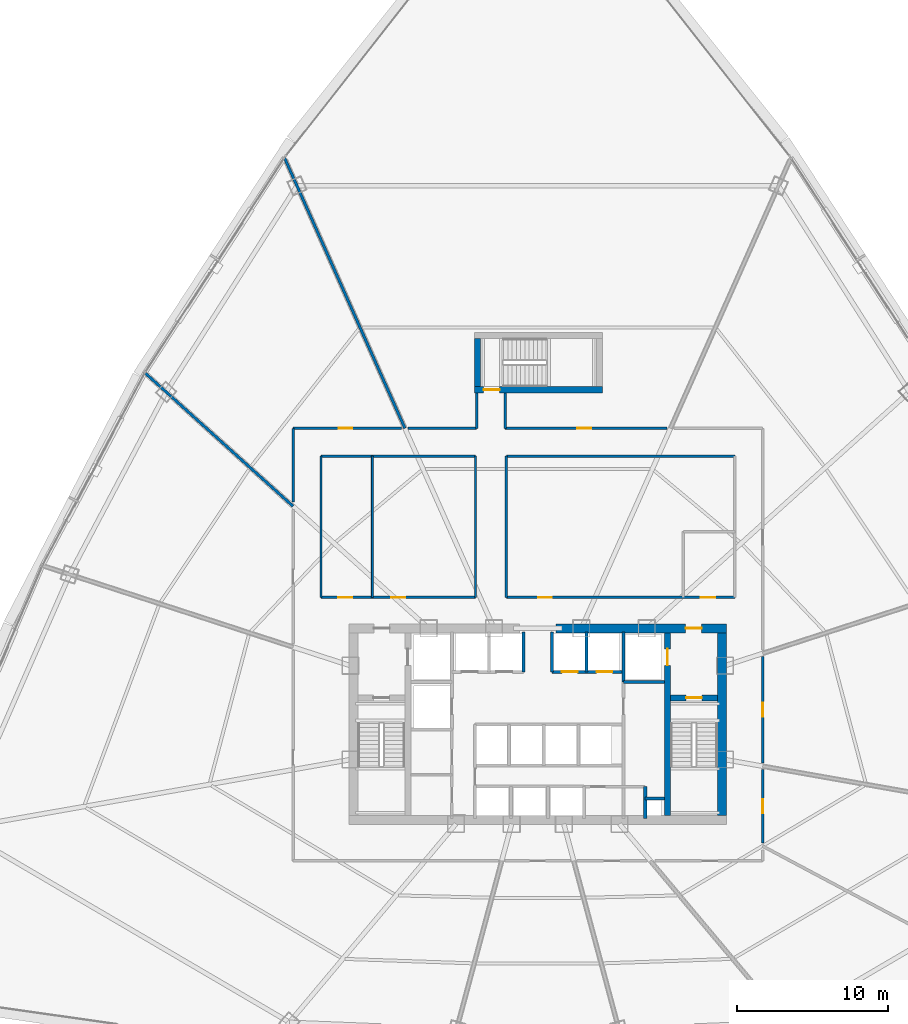
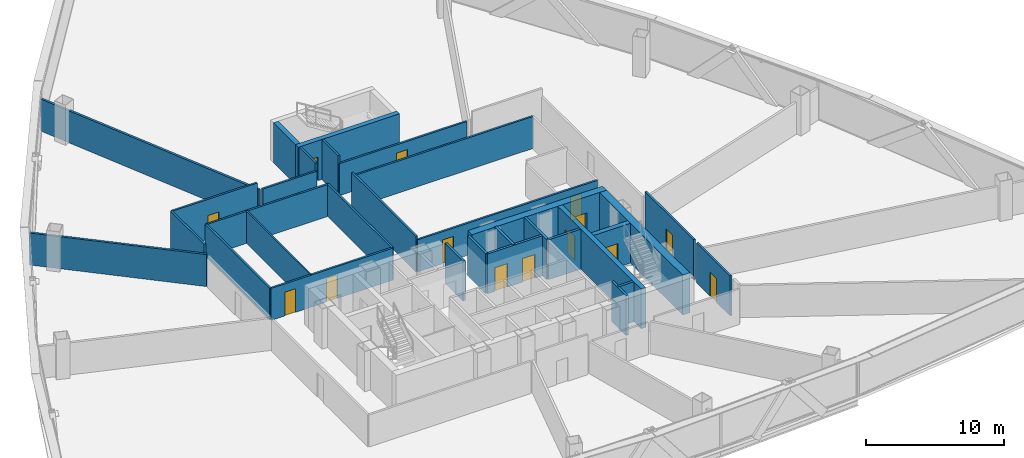
# One storey, part 33 of 39: 32 walls, 14 doors, 14 openings.
"""IFC4 building model written with IfcOpenShell, lengths in metres."""

import ifcopenshell
import ifcopenshell.guid

model = None  # the IFC model being written
_history = None  # IfcOwnerHistory: only IFC2X3 demands one
_inside = {}  # id of a spatial element -> (the spatial element, [elements in it])
_under = {}  # id of a project, library or spatial element -> (it, [spatial elements below it])
_declared = {}  # id of a project -> (the project, [libraries it declares])
_typed = {}  # id of a type object -> (the type object, [elements of that type])
_made_of = {}  # id of a material, layer set ... -> (it, [elements and type objects made of it])


def new_model(schema):
    """Start an empty IFC model of exactly this schema.

    Asked for "IFC4X3", IfcOpenShell would pick the latest addendum, in which some entities
    have other attributes; the version numbers below select the first issue.
    IFC2X3 requires an IfcOwnerHistory on every rooted entity: one is made here for all.
    """
    global model, _history
    if schema == "IFC4X3":
        model = ifcopenshell.file(schema_version=(4, 3, 0, 0))
    else:
        model = ifcopenshell.file(schema=schema)
    _inside.clear()
    _under.clear()
    _declared.clear()
    _typed.clear()
    _made_of.clear()
    _history = None
    if model.schema == "IFC2X3":
        org = make("IfcOrganization", Name="unknown")
        user = make(
            "IfcPersonAndOrganization",
            ThePerson=make("IfcPerson", FamilyName="unknown"),
            TheOrganization=org,
        )
        app = make(
            "IfcApplication",
            ApplicationDeveloper=org,
            Version="unknown",
            ApplicationFullName="unknown",
            ApplicationIdentifier="unknown",
        )
        _history = make(
            "IfcOwnerHistory",
            OwningUser=user,
            OwningApplication=app,
            ChangeAction="ADDED",
            CreationDate=0,
        )
    return model


def make(cls, **values):
    """One entity of the class cls with the attributes given. An attribute that is None is left unset."""
    return model.create_entity(
        cls, **{name: value for name, value in values.items() if value is not None}
    )


def rooted(cls, **values):
    """An entity with a GlobalId (a new one), such as an element, a storey or a relation."""
    return make(cls, GlobalId=ifcopenshell.guid.new(), OwnerHistory=_history, **values)


def si_unit(unit_type, name, prefix=None):
    """IfcSIUnit, for example si_unit("LENGTHUNIT", "METRE", prefix="MILLI")."""
    return make("IfcSIUnit", UnitType=unit_type, Prefix=prefix, Name=name)


def assignment(units):
    """IfcUnitAssignment: the units of a project."""
    return None if units is None else make("IfcUnitAssignment", Units=units)


def point(xyz):
    """IfcCartesianPoint."""
    return None if xyz is None else make("IfcCartesianPoint", Coordinates=xyz)


def direction(xyz):
    """IfcDirection."""
    return None if xyz is None else make("IfcDirection", DirectionRatios=xyz)


def frame(location, z_axis=None, x_axis=None):
    """IfcAxis2Placement3D, a coordinate frame: its origin and axes. An axis left out is left unset."""
    return make(
        "IfcAxis2Placement3D",
        Location=point(location),
        Axis=direction(z_axis),
        RefDirection=direction(x_axis),
    )


def frame_2d(location, x_axis=None):
    """IfcAxis2Placement2D, a coordinate frame in the plane: its origin and x axis."""
    return make(
        "IfcAxis2Placement2D", Location=point(location), RefDirection=direction(x_axis)
    )


def origin():
    """The frame at (0, 0, 0) with its axes left unset."""
    return frame((0.0, 0.0, 0.0))


def origin_with_axes():
    """The frame at (0, 0, 0) with the z axis (0, 0, 1) and the x axis (1, 0, 0) written out."""
    return frame((0.0, 0.0, 0.0), z_axis=(0.0, 0.0, 1.0), x_axis=(1.0, 0.0, 0.0))


def place(relative_to, where):
    """IfcLocalPlacement: puts the frame where relative to a parent placement (None: the world)."""
    return make(
        "IfcLocalPlacement", PlacementRelTo=relative_to, RelativePlacement=where
    )


def context(
    kind, dimensions, precision=None, world=None, true_north=None, identifier=None
):
    """IfcGeometricRepresentationContext, for example the 3D "Model" context."""
    return make(
        "IfcGeometricRepresentationContext",
        ContextIdentifier=identifier,
        ContextType=kind,
        CoordinateSpaceDimension=dimensions,
        Precision=precision,
        WorldCoordinateSystem=world,
        TrueNorth=true_north,
    )


def subcontext(parent, identifier, kind, view, scale=None):
    """IfcGeometricRepresentationSubContext, for example "Body" below "Model"."""
    return make(
        "IfcGeometricRepresentationSubContext",
        ContextIdentifier=identifier,
        ContextType=kind,
        ParentContext=parent,
        TargetScale=scale,
        TargetView=view,
    )


def project(units=None, contexts=None):
    """IfcProject with its units and contexts."""
    return rooted(
        "IfcProject",
        Name="project",
        RepresentationContexts=contexts,
        UnitsInContext=assignment(units),
    )


def spatial(cls, under=None, at=None, **own):
    """A site, building, storey or space (cls), placed at a placement, below another one or the project."""
    s = rooted(cls, ObjectPlacement=at, **own)
    if under is not None:
        _under.setdefault(under.id(), (under, []))[1].append(s)
    return s


def profile(cls, at=None, kind="AREA", **sizes):
    """A parametric profile (cls). Its sizes go by their IFC names, for example OverallWidth=200.0."""
    return make(cls, ProfileType=kind, Position=at, **sizes)


def rectangle(**sizes):
    """IfcRectangleProfileDef."""
    return profile("IfcRectangleProfileDef", **sizes)


def extrude(swept, where, along, depth):
    """IfcExtrudedAreaSolid: the profile swept, set in the frame where, extruded along a direction by depth."""
    return make(
        "IfcExtrudedAreaSolid",
        SweptArea=swept,
        Position=where,
        ExtrudedDirection=direction(along),
        Depth=depth,
    )


def shape(context_of_items, identifier, shape_type, items):
    """IfcShapeRepresentation: the items that make up one representation, for example the "Body"."""
    return make(
        "IfcShapeRepresentation",
        ContextOfItems=context_of_items,
        RepresentationIdentifier=identifier,
        RepresentationType=shape_type,
        Items=items,
    )


def source(mapping_origin, context_of_items, identifier, shape_type, items):
    """IfcRepresentationMap: a shape defined once, which mapped items show again and again."""
    return make(
        "IfcRepresentationMap",
        MappingOrigin=mapping_origin,
        MappedRepresentation=shape(context_of_items, identifier, shape_type, items),
    )


def transform(
    local_origin,
    x_axis=None,
    y_axis=None,
    z_axis=None,
    scale=None,
    scale2=None,
    scale3=None,
    uniform=True,
):
    """IfcCartesianTransformationOperator3D, or its non-uniform kind. x_axis, y_axis, z_axis: its Axis1, 2, 3."""
    if uniform:
        return make(
            "IfcCartesianTransformationOperator3D",
            Axis1=direction(x_axis),
            Axis2=direction(y_axis),
            LocalOrigin=point(local_origin),
            Scale=scale,
            Axis3=direction(z_axis),
        )
    return make(
        "IfcCartesianTransformationOperator3DnonUniform",
        Axis1=direction(x_axis),
        Axis2=direction(y_axis),
        LocalOrigin=point(local_origin),
        Scale=scale,
        Axis3=direction(z_axis),
        Scale2=scale2,
        Scale3=scale3,
    )


def mapped(mapping_source, mapping_target):
    """IfcMappedItem: shows the shape of a source again, moved by a transform."""
    return make(
        "IfcMappedItem", MappingSource=mapping_source, MappingTarget=mapping_target
    )


def material(Name=None, Category=None):
    """IfcMaterial."""
    return make("IfcMaterial", Name=Name, Category=Category)


def layer(
    of_material, thickness, ventilated=None, Name=None, Category=None, Priority=None
):
    """IfcMaterialLayer: one layer of a wall or slab, of a material (None: an air gap)."""
    return make(
        "IfcMaterialLayer",
        Material=of_material,
        LayerThickness=thickness,
        IsVentilated=ventilated,
        Name=Name,
        Category=Category,
        Priority=Priority,
    )


def layer_set(layers, Name=None):
    """IfcMaterialLayerSet."""
    return make("IfcMaterialLayerSet", MaterialLayers=layers, LayerSetName=Name)


def made_of(thing, what):
    """Note that an element or type object is made of a material, layer set ...; save() writes the relation."""
    if what is not None:
        _made_of.setdefault(what.id(), (what, []))[1].append(thing)
    return thing


def type_object(cls, material=None, **own):
    """A type object (cls), such as IfcWallType, which elements share."""
    return made_of(rooted(cls, **own), material)


def element(
    cls,
    number,
    at=None,
    inside=None,
    cuts=None,
    type_object=None,
    material=None,
    context=None,
    identifier="Body",
    shape_type=None,
    held_by="IfcProductDefinitionShape",
    body=None,
    shapes=None,
    **own,
):
    """One element of the class cls, such as IfcWall. Its Tag is "e" and its number.

    at: its placement. inside: the storey or other place that contains it. cuts: it is an
    opening in that element (IfcRelVoidsElement). A single representation is given by context,
    identifier, shape_type and body (its items); several are given by shapes. held_by: the class
    of the entity that holds the representations. save() writes the other relations.
    """
    e = rooted(cls, Tag="e%d" % number, ObjectPlacement=at, **own)
    if body is not None:
        shapes = [shape(context, identifier, shape_type, body)]
    if shapes is not None:
        e.Representation = make(held_by, Representations=shapes)
    if inside is not None:
        _inside.setdefault(inside.id(), (inside, []))[1].append(e)
    if cuts is not None:
        rooted(
            "IfcRelVoidsElement", RelatingBuildingElement=cuts, RelatedOpeningElement=e
        )
    if type_object is not None:
        _typed.setdefault(type_object.id(), (type_object, []))[1].append(e)
    return made_of(e, material)


def fill(opening, filler):
    """IfcRelFillsElement: the door or window that sits in an opening."""
    return rooted(
        "IfcRelFillsElement",
        RelatingOpeningElement=opening,
        RelatedBuildingElement=filler,
    )


def aggregate(whole, parts):
    """IfcRelAggregates: a whole, such as a stair, and the parts it consists of."""
    return rooted("IfcRelAggregates", RelatingObject=whole, RelatedObjects=parts)


def save(model, path):
    """Write the relations noted so far, then the file.

    IfcRelAggregates (storeys below a building ...), IfcRelContainedInSpatialStructure (elements
    in a storey), IfcRelDefinesByType, IfcRelAssociatesMaterial and IfcRelDeclares: one each for
    every whole, place, type object, material and project.
    """
    for whole, parts in _under.values():
        aggregate(whole, parts)
    for where, things in _inside.values():
        rooted(
            "IfcRelContainedInSpatialStructure",
            RelatedElements=things,
            RelatingStructure=where,
        )
    for kind, things in _typed.values():
        rooted("IfcRelDefinesByType", RelatedObjects=things, RelatingType=kind)
    for what, things in _made_of.values():
        rooted("IfcRelAssociatesMaterial", RelatedObjects=things, RelatingMaterial=what)
    for by, libraries in _declared.values():
        rooted("IfcRelDeclares", RelatingContext=by, RelatedDefinitions=libraries)
    model.write(path)


model = new_model("IFC4")

# Units and contexts
model_context = context("Model", 3, precision=1e-05, world=origin(), true_north=direction((0.0, 1.0)))
body_context = subcontext(model_context, "Body", "Model", "MODEL_VIEW")
ifc_project = project(units=[si_unit("LENGTHUNIT", "METRE"), si_unit("AREAUNIT", "SQUARE_METRE"), si_unit("VOLUMEUNIT", "CUBIC_METRE"), si_unit("PLANEANGLEUNIT", "RADIAN"), si_unit("MASSUNIT", "GRAM", prefix="KILO"), si_unit("THERMODYNAMICTEMPERATUREUNIT", "KELVIN"), si_unit("POWERUNIT", "WATT")], contexts=[model_context])

# Site, building, storey
site_placement = place(None, origin())
site = spatial("IfcSite", under=ifc_project, at=site_placement, CompositionType="ELEMENT")
building_placement = place(site_placement, origin())
building = spatial("IfcBuilding", under=site, at=building_placement, Name="Yunzhuo Pagoda Commons", CompositionType="ELEMENT")
storey_placement = place(building_placement, frame((0.0, 0.0, 100.179931640625)))
storey = spatial("IfcBuildingStorey", under=building, at=storey_placement, Name="L25", CompositionType="ELEMENT", Elevation=100.179931640625)

# Wall, opening, door
ifc_material_1 = material(Name="Concrete C60", Category="concrete")
ifc_layer_1 = layer(ifc_material_1, 0.60009765625)
ifc_layer_set_1 = layer_set([ifc_layer_1], Name="Concrete C60")
wall_type_1 = type_object("IfcWallType", Name="W-C02 Mid Core Shear Wall 600", PredefinedType="SHEAR", material=ifc_layer_set_1)
wall_1_placement = place(storey_placement, frame((49.199951171875, 40.199951171875, 0.0), z_axis=(0.0, 0.0, 1.0), x_axis=(1.0, 0.0, 0.0)))
wall_1 = element("IfcWall", 1, at=wall_1_placement, inside=storey, type_object=wall_type_1, Name="L25 core shear wall NE", PredefinedType="SHEAR", context=body_context, shape_type="SweptSolid", body=[
    extrude(rectangle(XDim=11.300048828125, YDim=0.60009765625, at=frame_2d((5.64990234375, 0.0))), origin(), (0.0, 0.0, 1.0), 3.5400390625),
])
opening_1_placement = place(wall_1_placement, frame((8.60009765625, 0.0, 0.0)))
opening_1 = element("IfcOpeningElement", 2, at=opening_1_placement, cuts=wall_1, Name="Opening D-02", PredefinedType="OPENING", context=body_context, shape_type="SweptSolid", body=[
    extrude(rectangle(XDim=1.050048828125, YDim=2.10009765625, at=frame_2d((0.52490234375, 1.050048828125))), frame((0.0, 0.31005859375, 0.0), z_axis=(0.0, -1.0, 0.0), x_axis=(1.0, 0.0, 0.0)), (0.0, 0.0, 1.0), 0.6201171875),
])
ifc_material_2 = material(Name="Galvanized fire-resisting metal leaf")
door_type_1 = type_object("IfcDoorType", Name="D-02 Firefighting Lobby & Refuge Fire Door 1050x2100", OperationType="NOTDEFINED", PredefinedType="DOOR", material=ifc_material_2)
shared_shape_1 = source(origin(), body_context, "Body", "SweptSolid", [
    extrude(rectangle(XDim=1.050048828125, YDim=2.10009765625, at=frame_2d((0.52490234375, 1.050048828125))), frame((0.0, 0.02490234375, 0.0), z_axis=(0.0, -1.0, 0.0), x_axis=(1.0, 0.0, 0.0)), (0.0, 0.0, 1.0), 0.050048828125),
])
door_1_placement = place(opening_1_placement, frame((1.050048828125, 0.0, 0.0), z_axis=(0.0, 0.0, 1.0), x_axis=(-1.0, 0.0, 0.0)))
door_1 = element("IfcDoor", 3, at=door_1_placement, inside=storey, type_object=door_type_1, Name="L25 Firefighting Lobby 2 fire door", OperationType="SINGLE_SWING_RIGHT", OverallHeight=2.10009765625, OverallWidth=1.050048828125, PredefinedType="DOOR", context=body_context, shape_type="MappedRepresentation", body=[
    mapped(shared_shape_1, transform((0.0, 0.0, 0.0), scale=1.0)),
])
fill(opening_1, door_1)

# Wall
wall_2_placement = place(storey_placement, frame((60.199951171875, 27.800048828125, 0.0), z_axis=(0.0, 0.0, 1.0), x_axis=(0.0, 1.0, 0.0)))
element("IfcWall", 4, at=wall_2_placement, inside=storey, type_object=wall_type_1, Name="L25 core shear wall E", PredefinedType="SHEAR", context=body_context, shape_type="SweptSolid", body=[
    extrude(rectangle(XDim=12.099853515625, YDim=0.60009765625, at=frame_2d((6.0498046875, 0.0))), origin(), (0.0, 0.0, 1.0), 3.5400390625),
])

# Wall, openings, doors
ifc_material_3 = material(Name="Gypsum plasterboard on acoustic stud")
ifc_layer_2 = layer(ifc_material_3, 0.159912109375)
ifc_layer_set_2 = layer_set([ifc_layer_2], Name="Gypsum plasterboard on acoustic stud")
wall_type_2 = type_object("IfcWallType", Name="W-COR1 Tower Rated Corridor Wall 160", PredefinedType="PARTITIONING", material=ifc_layer_set_2)
wall_3_placement = place(storey_placement, frame((33.64990234375, 42.25, 0.0), z_axis=(0.0, 0.0, 1.0), x_axis=(1.0, 0.0, 0.0)))
wall_3 = element("IfcWall", 5, at=wall_3_placement, inside=storey, type_object=wall_type_2, Name="L25 interior wall IW-L25-ISLWS", PredefinedType="PARTITIONING", context=body_context, shape_type="SweptSolid", body=[
    extrude(rectangle(XDim=10.22998046875, YDim=0.159912109375, at=frame_2d((5.114990234375, 0.0))), origin(), (0.0, 0.0, 1.0), 2.840087890625),
])
opening_2_placement = place(wall_3_placement, frame((1.14990234375, 0.0, 0.0)))
opening_2 = element("IfcOpeningElement", 6, at=opening_2_placement, cuts=wall_3, Name="Opening D-04", PredefinedType="OPENING", context=body_context, shape_type="SweptSolid", body=[
    extrude(rectangle(XDim=0.919921875, YDim=2.10009765625, at=frame_2d((0.4599609375, 1.050048828125))), frame((0.0, 0.08984375, 0.0), z_axis=(0.0, -1.0, 0.0), x_axis=(1.0, 0.0, 0.0)), (0.0, 0.0, 1.0), 0.179931640625),
])
opening_3_placement = place(wall_3_placement, frame((4.64990234375, 0.0, 0.0)))
opening_3 = element("IfcOpeningElement", 7, at=opening_3_placement, cuts=wall_3, Name="Opening D-04", PredefinedType="OPENING", context=body_context, shape_type="SweptSolid", body=[
    extrude(rectangle(XDim=0.919921875, YDim=2.10009765625, at=frame_2d((0.4599609375, 1.050048828125))), frame((0.0, 0.08984375, 0.0), z_axis=(0.0, -1.0, 0.0), x_axis=(1.0, 0.0, 0.0)), (0.0, 0.0, 1.0), 0.179931640625),
])
ifc_material_4 = material(Name="Powder-coated aluminium and timber acoustic leaf", Category="wood")
door_type_2 = type_object("IfcDoorType", Name="D-04 Bedroom & Study Interior Door 920x2100", OperationType="NOTDEFINED", PredefinedType="DOOR", material=ifc_material_4)
shared_shape_2 = source(origin(), body_context, "Body", "SweptSolid", [
    extrude(rectangle(XDim=0.919921875, YDim=2.10009765625, at=frame_2d((0.4599609375, 1.050048828125))), frame((0.0, 0.02490234375, 0.0), z_axis=(0.0, -1.0, 0.0), x_axis=(1.0, 0.0, 0.0)), (0.0, 0.0, 1.0), 0.050048828125),
])
door_2_placement = place(opening_2_placement, frame((0.919921875, 0.0, 0.0), z_axis=(0.0, 0.0, 1.0), x_axis=(-1.0, 0.0, 0.0)))
door_2 = element("IfcDoor", 8, at=door_2_placement, inside=storey, type_object=door_type_2, Name="L25 laundry door", OperationType="SINGLE_SWING_LEFT", OverallHeight=2.10009765625, OverallWidth=0.919921875, PredefinedType="DOOR", context=body_context, shape_type="MappedRepresentation", body=[
    mapped(shared_shape_2, transform((0.0, 0.0, 0.0), scale=1.0)),
])
fill(opening_2, door_2)
door_3_placement = place(opening_3_placement, frame((0.919921875, 0.0, 0.0), z_axis=(0.0, 0.0, 1.0), x_axis=(-1.0, 0.0, 0.0)))
door_3 = element("IfcDoor", 9, at=door_3_placement, inside=storey, type_object=door_type_2, Name="L25 study commons W door", OperationType="SINGLE_SWING_RIGHT", OverallHeight=2.10009765625, OverallWidth=0.919921875, PredefinedType="DOOR", context=body_context, shape_type="MappedRepresentation", body=[
    mapped(shared_shape_2, transform((0.0, 0.0, 0.0), scale=1.0)),
])
fill(opening_3, door_3)

# Walls
wall_4_placement = place(storey_placement, frame((33.64990234375, 51.60009765625, 0.0), z_axis=(0.0, 0.0, 1.0), x_axis=(1.0, 0.0, 0.0)))
element("IfcWall", 10, at=wall_4_placement, inside=storey, type_object=wall_type_2, Name="L25 interior wall IW-L25-ISLWN", PredefinedType="PARTITIONING", context=body_context, shape_type="SweptSolid", body=[
    extrude(rectangle(XDim=10.22998046875, YDim=0.159912109375, at=frame_2d((5.114990234375, 0.0))), origin(), (0.0, 0.0, 1.0), 2.840087890625),
])
for number, where, z_axis, x_axis, name in (
    (11, (33.64990234375, 42.25, 0.0), (0.0, 0.0, 1.0), (0.0, 1.0, 0.0), "L25 interior wall IW-L25-ISLWW"),
    (12, (43.8798828125, 42.25, 0.0), (0.0, 0.0, 1.0), (0.0, 1.0, 0.0), "L25 interior wall IW-L25-ISLWE"),
):
    element("IfcWall", number, at=place(storey_placement, frame(where, z_axis=z_axis, x_axis=x_axis)), inside=storey, type_object=wall_type_2, Name=name, PredefinedType="PARTITIONING", context=body_context, shape_type="SweptSolid", body=[
        extrude(rectangle(XDim=9.35009765625, YDim=0.159912109375, at=frame_2d((4.675048828125, 0.0))), origin(), (0.0, 0.0, 1.0), 2.840087890625),
    ])

# Wall, openings, doors
wall_5_placement = place(storey_placement, frame((45.919921875, 42.25, 0.0), z_axis=(0.0, 0.0, 1.0), x_axis=(1.0, 0.0, 0.0)))
wall_5 = element("IfcWall", 13, at=wall_5_placement, inside=storey, type_object=wall_type_2, Name="L25 interior wall IW-L25-ISLES", PredefinedType="PARTITIONING", context=body_context, shape_type="SweptSolid", body=[
    extrude(rectangle(XDim=15.130126953125, YDim=0.159912109375, at=frame_2d((7.56494140625, 0.0))), origin(), (0.0, 0.0, 1.0), 2.840087890625),
])
opening_4_placement = place(wall_5_placement, frame((2.10009765625, 0.0, 0.0)))
opening_4 = element("IfcOpeningElement", 14, at=opening_4_placement, cuts=wall_5, Name="Opening D-04", PredefinedType="OPENING", context=body_context, shape_type="SweptSolid", body=[
    extrude(rectangle(XDim=0.919921875, YDim=2.10009765625, at=frame_2d((0.4599609375, 1.050048828125))), frame((0.0, 0.08984375, 0.0), z_axis=(0.0, -1.0, 0.0), x_axis=(1.0, 0.0, 0.0)), (0.0, 0.0, 1.0), 0.179931640625),
])
opening_5_placement = place(wall_5_placement, frame((12.8798828125, 0.0, 0.0)))
opening_5 = element("IfcOpeningElement", 15, at=opening_5_placement, cuts=wall_5, Name="Opening D-11", PredefinedType="OPENING", context=body_context, shape_type="SweptSolid", body=[
    extrude(rectangle(XDim=0.93994140625, YDim=2.10009765625, at=frame_2d((0.469970703125, 1.050048828125))), frame((0.0, 0.08984375, 0.0), z_axis=(0.0, -1.0, 0.0), x_axis=(1.0, 0.0, 0.0)), (0.0, 0.0, 1.0), 0.179931640625),
])
door_type_3 = type_object("IfcDoorType", Name="D-11 Accessible Washroom Fire Door 940x2100", OperationType="NOTDEFINED", PredefinedType="DOOR", material=ifc_material_2)
shared_shape_3 = source(origin(), body_context, "Body", "SweptSolid", [
    extrude(rectangle(XDim=0.93994140625, YDim=2.10009765625, at=frame_2d((0.469970703125, 1.050048828125))), frame((0.0, 0.02490234375, 0.0), z_axis=(0.0, -1.0, 0.0), x_axis=(1.0, 0.0, 0.0)), (0.0, 0.0, 1.0), 0.050048828125),
])
door_4_placement = place(opening_5_placement, frame((0.93994140625, 0.0, 0.0), z_axis=(0.0, 0.0, 1.0), x_axis=(-1.0, 0.0, 0.0)))
door_4 = element("IfcDoor", 16, at=door_4_placement, inside=storey, type_object=door_type_3, Name="L25 accessible WC door", OperationType="SINGLE_SWING_RIGHT", OverallHeight=2.10009765625, OverallWidth=0.93994140625, PredefinedType="DOOR", context=body_context, shape_type="MappedRepresentation", body=[
    mapped(shared_shape_3, transform((0.0, 0.0, 0.0), scale=1.0)),
])
fill(opening_5, door_4)
door_5_placement = place(opening_4_placement, frame((0.919921875, 0.0, 0.0), z_axis=(0.0, 0.0, 1.0), x_axis=(-1.0, 0.0, 0.0)))
door_5 = element("IfcDoor", 17, at=door_5_placement, inside=storey, type_object=door_type_2, Name="L25 reading commons door", OperationType="SINGLE_SWING_LEFT", OverallHeight=2.10009765625, OverallWidth=0.919921875, PredefinedType="DOOR", context=body_context, shape_type="MappedRepresentation", body=[
    mapped(shared_shape_2, transform((0.0, 0.0, 0.0), scale=1.0)),
])
fill(opening_4, door_5)

# Walls
wall_6_placement = place(storey_placement, frame((45.919921875, 51.60009765625, 0.0), z_axis=(0.0, 0.0, 1.0), x_axis=(1.0, 0.0, 0.0)))
element("IfcWall", 18, at=wall_6_placement, inside=storey, type_object=wall_type_2, Name="L25 interior wall IW-L25-ISLEN", PredefinedType="PARTITIONING", context=body_context, shape_type="SweptSolid", body=[
    extrude(rectangle(XDim=15.130126953125, YDim=0.159912109375, at=frame_2d((7.56494140625, 0.0))), origin(), (0.0, 0.0, 1.0), 2.840087890625),
])
wall_7_placement = place(storey_placement, frame((45.919921875, 42.25, 0.0), z_axis=(0.0, 0.0, 1.0), x_axis=(0.0, 1.0, 0.0)))
element("IfcWall", 19, at=wall_7_placement, inside=storey, type_object=wall_type_2, Name="L25 interior wall IW-L25-ISLEW", PredefinedType="PARTITIONING", context=body_context, shape_type="SweptSolid", body=[
    extrude(rectangle(XDim=9.35009765625, YDim=0.159912109375, at=frame_2d((4.675048828125, 0.0))), origin(), (0.0, 0.0, 1.0), 3.14013671875),
])
wall_8_placement = place(storey_placement, frame((31.800048828125, 48.58251953125, 0.0), z_axis=(0.0, 0.0, 1.0), x_axis=(0.0, 1.0, 0.0)))
element("IfcWall", 20, at=wall_8_placement, inside=storey, type_object=wall_type_2, Name="L25 interior wall IW-L25-CWL03", PredefinedType="PARTITIONING", context=body_context, shape_type="SweptSolid", body=[
    extrude(rectangle(XDim=4.867431640625, YDim=0.159912109375, at=frame_2d((2.43359375, 0.0))), origin(), (0.0, 0.0, 1.0), 3.5400390625),
])

# Wall, opening, door
wall_9_placement = place(storey_placement, frame((31.800048828125, 53.449951171875, 0.0), z_axis=(0.0, 0.0, 1.0), x_axis=(1.0, 0.0, 0.0)))
wall_9 = element("IfcWall", 21, at=wall_9_placement, inside=storey, type_object=wall_type_2, Name="L25 interior wall IW-L25-CWL04", PredefinedType="PARTITIONING", context=body_context, shape_type="SweptSolid", body=[
    extrude(rectangle(XDim=7.165771484375, YDim=0.159912109375, at=frame_2d((3.5830078125, 0.0))), origin(), (0.0, 0.0, 1.0), 3.5400390625),
])
opening_6_placement = place(wall_9_placement, frame((3.01318359375, 0.0, 0.0)))
opening_6 = element("IfcOpeningElement", 22, at=opening_6_placement, cuts=wall_9, Name="Opening D-04", PredefinedType="OPENING", context=body_context, shape_type="SweptSolid", body=[
    extrude(rectangle(XDim=0.919921875, YDim=2.10009765625, at=frame_2d((0.4599609375, 1.050048828125))), frame((0.0, 0.08984375, 0.0), z_axis=(0.0, -1.0, 0.0), x_axis=(1.0, 0.0, 0.0)), (0.0, 0.0, 1.0), 0.179931640625),
])
door_6_placement = place(opening_6_placement, origin_with_axes())
door_6 = element("IfcDoor", 23, at=door_6_placement, inside=storey, type_object=door_type_2, Name="L25 seminar room 04 door", OperationType="SINGLE_SWING_LEFT", OverallHeight=2.10009765625, OverallWidth=0.919921875, PredefinedType="DOOR", context=body_context, shape_type="MappedRepresentation", body=[
    mapped(shared_shape_2, transform((0.0, 0.0, 0.0), scale=1.0)),
])
fill(opening_6, door_6)

# Walls
wall_10_placement = place(storey_placement, frame((39.426513671875, 53.449951171875, 0.0), z_axis=(0.0, 0.0, 1.0), x_axis=(1.0, 0.0, 0.0)))
element("IfcWall", 24, at=wall_10_placement, inside=storey, type_object=wall_type_2, Name="L25 interior wall IW-L25-CWL05", PredefinedType="PARTITIONING", context=body_context, shape_type="SweptSolid", body=[
    extrude(rectangle(XDim=4.5234375, YDim=0.159912109375, at=frame_2d((2.26171875, 0.0))), origin(), (0.0, 0.0, 1.0), 2.840087890625),
])
for number, where, z_axis, x_axis, name in (
    (25, (43.949951171875, 53.449951171875, 0.0), (0.0, 0.0, 1.0), (0.0, 1.0, 0.0), "L25 interior wall IW-L25-CWL06"),
    (26, (45.85009765625, 55.780029296875, 0.0), (0.0, 0.0, 1.0), (0.0, -1.0, 0.0), "L25 interior wall IW-L25-CWL07"),
):
    element("IfcWall", number, at=place(storey_placement, frame(where, z_axis=z_axis, x_axis=x_axis)), inside=storey, type_object=wall_type_2, Name=name, PredefinedType="PARTITIONING", context=body_context, shape_type="SweptSolid", body=[
        extrude(rectangle(XDim=2.330078125, YDim=0.159912109375, at=frame_2d((1.1650390625, 0.0))), origin(), (0.0, 0.0, 1.0), 3.5400390625),
    ])

# Wall, opening, door
wall_11_placement = place(storey_placement, frame((45.85009765625, 53.449951171875, 0.0), z_axis=(0.0, 0.0, 1.0), x_axis=(1.0, 0.0, 0.0)))
wall_11 = element("IfcWall", 27, at=wall_11_placement, inside=storey, type_object=wall_type_2, Name="L25 interior wall IW-L25-CWL08", PredefinedType="PARTITIONING", context=body_context, shape_type="SweptSolid", body=[
    extrude(rectangle(XDim=10.723388671875, YDim=0.159912109375, at=frame_2d((5.36181640625, 0.0))), origin(), (0.0, 0.0, 1.0), 2.840087890625),
])
opening_7_placement = place(wall_11_placement, frame((4.781494140625, 0.0, 0.0)))
opening_7 = element("IfcOpeningElement", 28, at=opening_7_placement, cuts=wall_11, Name="Opening D-04", PredefinedType="OPENING", context=body_context, shape_type="SweptSolid", body=[
    extrude(rectangle(XDim=0.919921875, YDim=2.10009765625, at=frame_2d((0.4599609375, 1.050048828125))), frame((0.0, 0.08984375, 0.0), z_axis=(0.0, -1.0, 0.0), x_axis=(1.0, 0.0, 0.0)), (0.0, 0.0, 1.0), 0.179931640625),
])
door_7_placement = place(opening_7_placement, origin_with_axes())
door_7 = element("IfcDoor", 29, at=door_7_placement, inside=storey, type_object=door_type_2, Name="L25 seminar room 03 door", OperationType="SINGLE_SWING_RIGHT", OverallHeight=2.10009765625, OverallWidth=0.919921875, PredefinedType="DOOR", context=body_context, shape_type="MappedRepresentation", body=[
    mapped(shared_shape_2, transform((0.0, 0.0, 0.0), scale=1.0)),
])
fill(opening_7, door_7)

wall_12_placement = place(storey_placement, frame((62.89990234375, 38.321533203125, 0.0), z_axis=(0.0, 0.0, 1.0), x_axis=(0.0, -1.0, 0.0)))
wall_12 = element("IfcWall", 30, at=wall_12_placement, inside=storey, type_object=wall_type_2, Name="L25 interior wall IW-L25-CWL11", PredefinedType="PARTITIONING", context=body_context, shape_type="SweptSolid", body=[
    extrude(rectangle(XDim=7.029052734375, YDim=0.159912109375, at=frame_2d((3.5146484375, 0.0))), origin(), (0.0, 0.0, 1.0), 3.5400390625),
])
opening_8_placement = place(wall_12_placement, frame((3.054443359375, 0.0, 0.0)))
opening_8 = element("IfcOpeningElement", 31, at=opening_8_placement, cuts=wall_12, Name="Opening D-04", PredefinedType="OPENING", context=body_context, shape_type="SweptSolid", body=[
    extrude(rectangle(XDim=0.919921875, YDim=2.10009765625, at=frame_2d((0.4599609375, 1.050048828125))), frame((0.0, 0.08984375, 0.0), z_axis=(0.0, -1.0, 0.0), x_axis=(1.0, 0.0, 0.0)), (0.0, 0.0, 1.0), 0.179931640625),
])
door_8_placement = place(opening_8_placement, origin_with_axes())
door_8 = element("IfcDoor", 32, at=door_8_placement, inside=storey, type_object=door_type_2, Name="L25 seminar room 01 door", OperationType="SINGLE_SWING_RIGHT", OverallHeight=2.10009765625, OverallWidth=0.919921875, PredefinedType="DOOR", context=body_context, shape_type="MappedRepresentation", body=[
    mapped(shared_shape_2, transform((0.0, 0.0, 0.0), scale=1.0)),
])
fill(opening_8, door_8)

wall_13_placement = place(storey_placement, frame((62.89990234375, 30.849365234375, 0.0), z_axis=(0.0, 0.0, 1.0), x_axis=(0.0, -1.0, 0.0)))
wall_13 = element("IfcWall", 33, at=wall_13_placement, inside=storey, type_object=wall_type_2, Name="L25 interior wall IW-L25-CWL12", PredefinedType="PARTITIONING", context=body_context, shape_type="SweptSolid", body=[
    extrude(rectangle(XDim=4.851806640625, YDim=0.159912109375, at=frame_2d((2.42578125, 0.0))), origin(), (0.0, 0.0, 1.0), 3.5400390625),
])
opening_9_placement = place(wall_13_placement, frame((1.94921875, 0.0, 0.0)))
opening_9 = element("IfcOpeningElement", 34, at=opening_9_placement, cuts=wall_13, Name="Opening D-06", PredefinedType="OPENING", context=body_context, shape_type="SweptSolid", body=[
    extrude(rectangle(XDim=0.949951171875, YDim=2.10009765625, at=frame_2d((0.47509765625, 1.050048828125))), frame((0.0, 0.08984375, 0.0), z_axis=(0.0, -1.0, 0.0), x_axis=(1.0, 0.0, 0.0)), (0.0, 0.0, 1.0), 0.179931640625),
])
door_type_4 = type_object("IfcDoorType", Name="D-06 Co-Living Suite Entrance Fire Door 950x2100", OperationType="NOTDEFINED", PredefinedType="DOOR", material=ifc_material_2)
shared_shape_4 = source(origin(), body_context, "Body", "SweptSolid", [
    extrude(rectangle(XDim=0.949951171875, YDim=2.10009765625, at=frame_2d((0.47509765625, 1.050048828125))), frame((0.0, 0.02490234375, 0.0), z_axis=(0.0, -1.0, 0.0), x_axis=(1.0, 0.0, 0.0)), (0.0, 0.0, 1.0), 0.050048828125),
])
door_9_placement = place(opening_9_placement, origin_with_axes())
door_9 = element("IfcDoor", 35, at=door_9_placement, inside=storey, type_object=door_type_4, Name="L25 unit 10 entrance door", OperationType="SINGLE_SWING_LEFT", OverallHeight=2.10009765625, OverallWidth=0.949951171875, PredefinedType="DOOR", context=body_context, shape_type="MappedRepresentation", body=[
    mapped(shared_shape_4, transform((0.0, 0.0, 0.0), scale=1.0)),
])
fill(opening_9, door_9)

# Walls
ifc_layer_3 = layer(ifc_material_3, 0.1201171875)
ifc_layer_set_3 = layer_set([ifc_layer_3], Name="Gypsum plasterboard on acoustic stud")
wall_type_3 = type_object("IfcWallType", Name="W-PRT1 Suite & Bathroom Partition 120", PredefinedType="PARTITIONING", material=ifc_layer_set_3)
wall_14_placement = place(storey_placement, frame((37.050048828125, 42.25, 0.0), z_axis=(0.0, 0.0, 1.0), x_axis=(0.0, 1.0, 0.0)))
element("IfcWall", 36, at=wall_14_placement, inside=storey, type_object=wall_type_3, Name="L25 interior wall IW-L25-ISLW1", PredefinedType="PARTITIONING", context=body_context, shape_type="SweptSolid", body=[
    extrude(rectangle(XDim=9.35009765625, YDim=0.1201171875, at=frame_2d((4.675048828125, 0.0))), origin(), (0.0, 0.0, 1.0), 2.840087890625),
])
ifc_layer_4 = layer(ifc_material_3, 0.179931640625)
ifc_layer_set_4 = layer_set([ifc_layer_4], Name="Gypsum plasterboard on acoustic stud")
wall_type_4 = type_object("IfcWallType", Name="W-PRT2 Acoustic Unit Demising Wall 180", PredefinedType="PARTITIONING", material=ifc_layer_set_4)
wall_15_placement = place(storey_placement, frame((39.206787109375, 53.449951171875, 0.0), z_axis=(0.0, 0.0, 1.0), x_axis=(-0.406741294252, 0.913543386791, 0.0)))
element("IfcWall", 37, at=wall_15_placement, inside=storey, type_object=wall_type_4, Name="L25 interior wall IW-L25-RAD03", PredefinedType="PARTITIONING", context=body_context, shape_type="SweptSolid", body=[
    extrude(rectangle(XDim=19.612060546875, YDim=0.179931640625, at=frame_2d((9.80615234375, 0.0))), origin(), (0.0, 0.0, 1.0), 2.840087890625),
])
wall_16_placement = place(storey_placement, frame((31.800048828125, 48.28662109375, 0.0), z_axis=(0.0, 0.0, 1.0), x_axis=(-0.74315159846, 0.669123084123, 0.0)))
element("IfcWall", 38, at=wall_16_placement, inside=storey, type_object=wall_type_4, Name="L25 interior wall IW-L25-RAD04", PredefinedType="PARTITIONING", context=body_context, shape_type="SweptSolid", body=[
    extrude(rectangle(XDim=13.20166015625, YDim=0.179931640625, at=frame_2d((6.600830078125, 0.0))), origin(), (0.0, 0.0, 1.0), 2.840087890625),
])

# Wall, opening, door
ifc_layer_5 = layer(ifc_material_1, 0.39990234375)
ifc_layer_set_5 = layer_set([ifc_layer_5], Name="Concrete C60")
wall_type_5 = type_object("IfcWallType", Name="W-S01 Internal Core Shear Web 400", PredefinedType="SHEAR", material=ifc_layer_set_5)
wall_17_placement = place(storey_placement, frame((56.60009765625, 27.800048828125, 0.0), z_axis=(0.0, 0.0, 1.0), x_axis=(0.0, 1.0, 0.0)))
wall_17 = element("IfcWall", 39, at=wall_17_placement, inside=storey, type_object=wall_type_5, Name="L25 core shear wall WEBE", PredefinedType="SHEAR", context=body_context, shape_type="SweptSolid", body=[
    extrude(rectangle(XDim=12.099853515625, YDim=0.39990234375, at=frame_2d((6.0498046875, 0.0))), origin(), (0.0, 0.0, 1.0), 3.5400390625),
])
opening_10_placement = place(wall_17_placement, frame((9.949951171875, 0.0, 0.0)))
opening_10 = element("IfcOpeningElement", 40, at=opening_10_placement, cuts=wall_17, Name="Opening LD-01", PredefinedType="OPENING", context=body_context, shape_type="SweptSolid", body=[
    extrude(rectangle(XDim=1.10009765625, YDim=2.10009765625, at=frame_2d((0.550048828125, 1.050048828125))), frame((0.0, 0.2099609375, 0.0), z_axis=(0.0, -1.0, 0.0), x_axis=(1.0, 0.0, 0.0)), (0.0, 0.0, 1.0), 0.419921875),
])
door_type_5 = type_object("IfcDoorType", Name="LD-01 Firefighting Lift Landing Door 1100x2100", OperationType="DOUBLE_DOOR_SLIDING", PredefinedType="DOOR", material=ifc_material_2)
shared_shape_5 = source(origin(), body_context, "Body", "SweptSolid", [
    extrude(rectangle(XDim=1.10009765625, YDim=2.10009765625, at=frame_2d((0.550048828125, 1.050048828125))), frame((0.0, 0.02490234375, 0.0), z_axis=(0.0, -1.0, 0.0), x_axis=(1.0, 0.0, 0.0)), (0.0, 0.0, 1.0), 0.050048828125),
])
door_10_placement = place(opening_10_placement, origin_with_axes())
door_10 = element("IfcDoor", 41, at=door_10_placement, inside=storey, type_object=door_type_5, Name="L25 Firefighting lift FL-2 landing door", OperationType="DOUBLE_DOOR_SLIDING", OverallHeight=2.10009765625, OverallWidth=1.10009765625, PredefinedType="DOOR", context=body_context, shape_type="MappedRepresentation", body=[
    mapped(shared_shape_5, transform((0.0, 0.0, 0.0), scale=1.0)),
])
fill(opening_10, door_10)

wall_18_placement = place(storey_placement, frame((56.800048828125, 35.60009765625, 0.0), z_axis=(0.0, 0.0, 1.0), x_axis=(1.0, 0.0, 0.0)))
wall_18 = element("IfcWall", 42, at=wall_18_placement, inside=storey, type_object=wall_type_5, Name="L25 core shear wall STE", PredefinedType="SHEAR", context=body_context, shape_type="SweptSolid", body=[
    extrude(rectangle(XDim=3.099853515625, YDim=0.39990234375, at=frame_2d((1.5498046875, 0.0))), origin(), (0.0, 0.0, 1.0), 3.5400390625),
])
opening_11_placement = place(wall_18_placement, frame((1.02001953125, 0.0, 0.0)))
opening_11 = element("IfcOpeningElement", 43, at=opening_11_placement, cuts=wall_18, Name="Opening D-01", PredefinedType="OPENING", context=body_context, shape_type="SweptSolid", body=[
    extrude(rectangle(XDim=1.050048828125, YDim=2.10009765625, at=frame_2d((0.52490234375, 1.050048828125))), frame((0.0, 0.2099609375, 0.0), z_axis=(0.0, -1.0, 0.0), x_axis=(1.0, 0.0, 0.0)), (0.0, 0.0, 1.0), 0.419921875),
])
door_type_6 = type_object("IfcDoorType", Name="D-01 Smokeproof Stair Fire Door 1050x2100", OperationType="NOTDEFINED", PredefinedType="DOOR", material=ifc_material_2)
door_11_placement = place(opening_11_placement, frame((1.050048828125, 0.0, 0.0), z_axis=(0.0, 0.0, 1.0), x_axis=(-1.0, 0.0, 0.0)))
door_11 = element("IfcDoor", 44, at=door_11_placement, inside=storey, type_object=door_type_6, Name="L25 Stair ST2 fire door", OperationType="SINGLE_SWING_RIGHT", OverallHeight=2.10009765625, OverallWidth=1.050048828125, PredefinedType="DOOR", context=body_context, shape_type="MappedRepresentation", body=[
    mapped(shared_shape_1, transform((0.0, 0.0, 0.0), scale=1.0)),
])
fill(opening_11, door_11)

wall_19_placement = place(storey_placement, frame((43.800048828125, 56.0, 0.0), z_axis=(0.0, 0.0, 1.0), x_axis=(1.0, 0.0, 0.0)))
wall_19 = element("IfcWall", 45, at=wall_19_placement, inside=storey, type_object=wall_type_5, Name="L25 ST3 structural stair wall S", PredefinedType="SHEAR", context=body_context, shape_type="SweptSolid", body=[
    extrude(rectangle(XDim=8.5, YDim=0.39990234375, at=frame_2d((4.25, 0.0))), origin(), (0.0, 0.0, 1.0), 3.5400390625),
])
opening_12_placement = place(wall_19_placement, frame((0.6201171875, 0.0, 0.0)))
opening_12 = element("IfcOpeningElement", 46, at=opening_12_placement, cuts=wall_19, Name="Opening D-01", PredefinedType="OPENING", context=body_context, shape_type="SweptSolid", body=[
    extrude(rectangle(XDim=1.050048828125, YDim=2.10009765625, at=frame_2d((0.52490234375, 1.050048828125))), frame((0.0, 0.2099609375, 0.0), z_axis=(0.0, -1.0, 0.0), x_axis=(1.0, 0.0, 0.0)), (0.0, 0.0, 1.0), 0.419921875),
])
door_12_placement = place(opening_12_placement, frame((1.050048828125, 0.0, 0.0), z_axis=(0.0, 0.0, 1.0), x_axis=(-1.0, 0.0, 0.0)))
door_12 = element("IfcDoor", 47, at=door_12_placement, inside=storey, type_object=door_type_6, Name="L25 Stair ST3 fire door", OperationType="SINGLE_SWING_LEFT", OverallHeight=2.10009765625, OverallWidth=1.050048828125, PredefinedType="DOOR", context=body_context, shape_type="MappedRepresentation", body=[
    mapped(shared_shape_1, transform((0.0, 0.0, 0.0), scale=1.0)),
])
fill(opening_12, door_12)

# Walls
wall_20_placement = place(storey_placement, frame((44.0, 56.199951171875, 0.0), z_axis=(0.0, 0.0, 1.0), x_axis=(0.0, 1.0, 0.0)))
element("IfcWall", 48, at=wall_20_placement, inside=storey, type_object=wall_type_5, Name="L25 ST3 structural stair wall W", PredefinedType="SHEAR", context=body_context, shape_type="SweptSolid", body=[
    extrude(rectangle(XDim=3.199951171875, YDim=0.39990234375, at=frame_2d((1.60009765625, 0.0))), origin(), (0.0, 0.0, 1.0), 3.5400390625),
])
ifc_material_5 = material(Name="Concrete C40", Category="concrete")
ifc_layer_6 = layer(ifc_material_5, 0.199951171875)
ifc_layer_set_6 = layer_set([ifc_layer_6], Name="Concrete C40")
wall_type_6 = type_object("IfcWallType", Name="W-SHF Shaft & Stair Enclosure Wall 200", PredefinedType="SOLIDWALL", material=ifc_layer_set_6)
wall_21_placement = place(storey_placement, frame((53.679931640625, 36.64990234375, 0.0), z_axis=(0.0, 0.0, 1.0), x_axis=(0.0, 1.0, 0.0)))
element("IfcWall", 49, at=wall_21_placement, inside=storey, type_object=wall_type_6, Name="L25 interior wall IW-L25-FL2W", PredefinedType="SOLIDWALL", context=body_context, shape_type="SweptSolid", body=[
    extrude(rectangle(XDim=3.300048828125, YDim=0.199951171875, at=frame_2d((1.64990234375, 0.0))), origin(), (0.0, 0.0, 1.0), 3.5400390625),
])
wall_22_placement = place(storey_placement, frame((53.679931640625, 36.64990234375, 0.0), z_axis=(0.0, 0.0, 1.0), x_axis=(1.0, 0.0, 0.0)))
element("IfcWall", 50, at=wall_22_placement, inside=storey, type_object=wall_type_6, Name="L25 interior wall IW-L25-FL2S", PredefinedType="SOLIDWALL", context=body_context, shape_type="SweptSolid", body=[
    extrude(rectangle(XDim=2.719970703125, YDim=0.199951171875, at=frame_2d((1.35986328125, 0.0))), origin(), (0.0, 0.0, 1.0), 3.5400390625),
])

# Wall, openings, doors
wall_23_placement = place(storey_placement, frame((48.949951171875, 37.320068359375, 0.0), z_axis=(0.0, 0.0, 1.0), x_axis=(1.0, 0.0, 0.0)))
wall_23 = element("IfcWall", 51, at=wall_23_placement, inside=storey, type_object=wall_type_6, Name="L25 interior wall IW-L25-LBNE", PredefinedType="SOLIDWALL", context=body_context, shape_type="SweptSolid", body=[
    extrude(rectangle(XDim=4.72998046875, YDim=0.199951171875, at=frame_2d((2.364990234375, 0.0))), origin(), (0.0, 0.0, 1.0), 3.5400390625),
])
opening_13_placement = place(wall_23_placement, frame((0.64990234375, 0.0, 0.0)))
opening_13 = element("IfcOpeningElement", 52, at=opening_13_placement, cuts=wall_23, Name="Opening LD-02", PredefinedType="OPENING", context=body_context, shape_type="SweptSolid", body=[
    extrude(rectangle(XDim=1.050048828125, YDim=2.10009765625, at=frame_2d((0.52490234375, 1.050048828125))), frame((0.0, 0.10986328125, 0.0), z_axis=(0.0, -1.0, 0.0), x_axis=(1.0, 0.0, 0.0)), (0.0, 0.0, 1.0), 0.219970703125),
])
opening_14_placement = place(wall_23_placement, frame((2.949951171875, 0.0, 0.0)))
opening_14 = element("IfcOpeningElement", 53, at=opening_14_placement, cuts=wall_23, Name="Opening LD-02", PredefinedType="OPENING", context=body_context, shape_type="SweptSolid", body=[
    extrude(rectangle(XDim=1.050048828125, YDim=2.10009765625, at=frame_2d((0.52490234375, 1.050048828125))), frame((0.0, 0.10986328125, 0.0), z_axis=(0.0, -1.0, 0.0), x_axis=(1.0, 0.0, 0.0)), (0.0, 0.0, 1.0), 0.219970703125),
])
door_type_7 = type_object("IfcDoorType", Name="LD-02 Passenger Lift Landing Door 1050x2100", OperationType="DOUBLE_DOOR_SLIDING", PredefinedType="DOOR", material=ifc_material_2)
door_13_placement = place(opening_13_placement, frame((1.050048828125, 0.0, 0.0), z_axis=(0.0, 0.0, 1.0), x_axis=(-1.0, 0.0, 0.0)))
door_13 = element("IfcDoor", 54, at=door_13_placement, inside=storey, type_object=door_type_7, Name="L25 Passenger lift PL-L3 landing door", OperationType="DOUBLE_DOOR_SLIDING", OverallHeight=2.10009765625, OverallWidth=1.050048828125, PredefinedType="DOOR", context=body_context, shape_type="MappedRepresentation", body=[
    mapped(shared_shape_1, transform((0.0, 0.0, 0.0), scale=1.0)),
])
fill(opening_13, door_13)
door_14_placement = place(opening_14_placement, frame((1.050048828125, 0.0, 0.0), z_axis=(0.0, 0.0, 1.0), x_axis=(-1.0, 0.0, 0.0)))
door_14 = element("IfcDoor", 55, at=door_14_placement, inside=storey, type_object=door_type_7, Name="L25 Passenger lift PL-L4 landing door", OperationType="DOUBLE_DOOR_SLIDING", OverallHeight=2.10009765625, OverallWidth=1.050048828125, PredefinedType="DOOR", context=body_context, shape_type="MappedRepresentation", body=[
    mapped(shared_shape_1, transform((0.0, 0.0, 0.0), scale=1.0)),
])
fill(opening_14, door_14)

# Walls
for number, where, z_axis, x_axis, name in (
    (56, (47.050048828125, 37.320068359375, 0.0), (0.0, 0.0, 1.0), (0.0, 1.0, 0.0), "L25 interior wall IW-L25-THRW"),
    (57, (48.949951171875, 37.320068359375, 0.0), (0.0, 0.0, 1.0), (0.0, 1.0, 0.0), "L25 interior wall IW-L25-THRE"),
    (58, (51.22998046875, 37.320068359375, 0.0), (0.0, 0.0, 1.0), (0.0, 1.0, 0.0), "L25 interior wall IW-L25-PLL34"),
):
    element("IfcWall", number, at=place(storey_placement, frame(where, z_axis=z_axis, x_axis=x_axis)), inside=storey, type_object=wall_type_6, Name=name, PredefinedType="SOLIDWALL", context=body_context, shape_type="SweptSolid", body=[
        extrude(rectangle(XDim=2.6298828125, YDim=0.199951171875, at=frame_2d((1.31494140625, 0.0))), origin(), (0.0, 0.0, 1.0), 3.5400390625),
    ])
wall_24_placement = place(storey_placement, frame((55.1201171875, 27.60009765625, 0.0), z_axis=(0.0, 0.0, 1.0), x_axis=(0.0, 1.0, 0.0)))
element("IfcWall", 59, at=wall_24_placement, inside=storey, type_object=wall_type_6, Name="L25 interior wall IW-L25-RSHFW", PredefinedType="SOLIDWALL", context=body_context, shape_type="SweptSolid", body=[
    extrude(rectangle(XDim=2.119873046875, YDim=0.199951171875, at=frame_2d((1.06005859375, 0.0))), origin(), (0.0, 0.0, 1.0), 3.5400390625),
])
wall_25_placement = place(storey_placement, frame((55.1201171875, 28.949951171875, 0.0), z_axis=(0.0, 0.0, 1.0), x_axis=(1.0, 0.0, 0.0)))
element("IfcWall", 60, at=wall_25_placement, inside=storey, type_object=wall_type_6, Name="L25 interior wall IW-L25-RSHFN", PredefinedType="SOLIDWALL", context=body_context, shape_type="SweptSolid", body=[
    extrude(rectangle(XDim=1.27978515625, YDim=0.199951171875, at=frame_2d((0.639892578125, 0.0))), origin(), (0.0, 0.0, 1.0), 3.5400390625),
])

save(model, "model.ifc")
